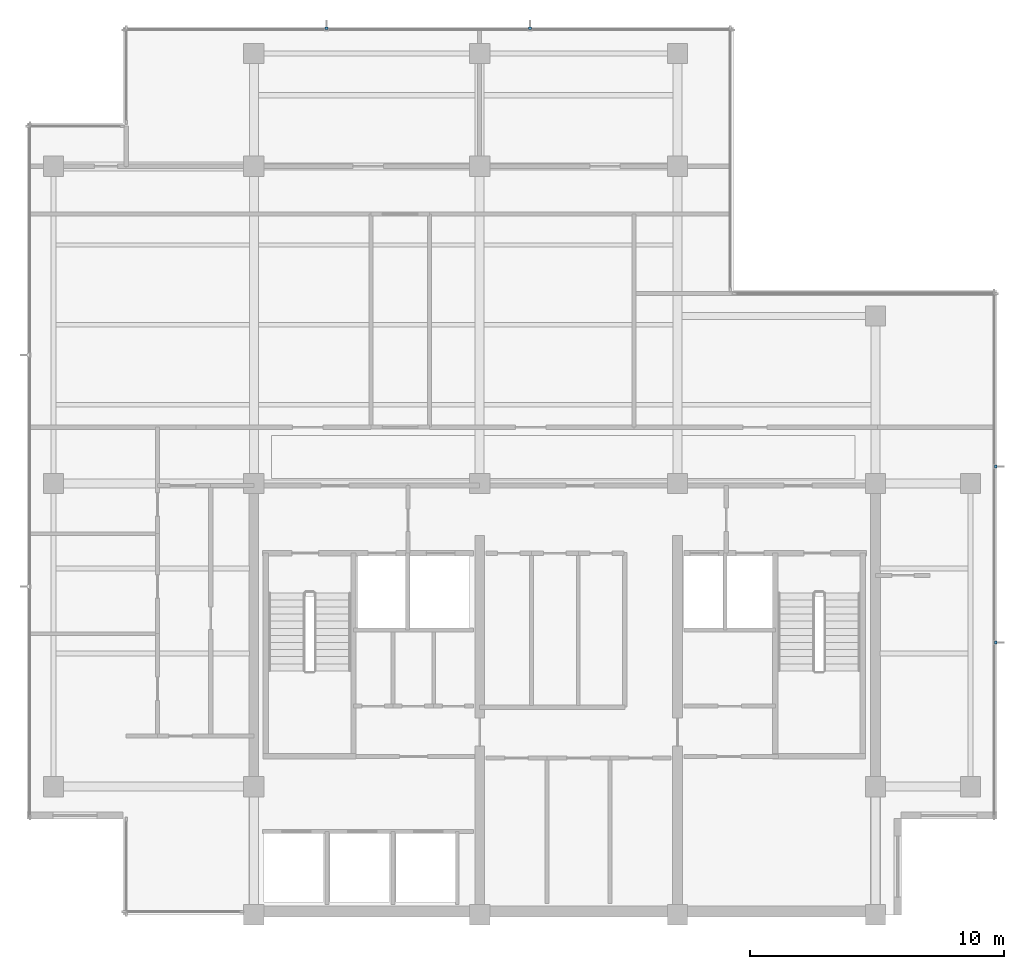
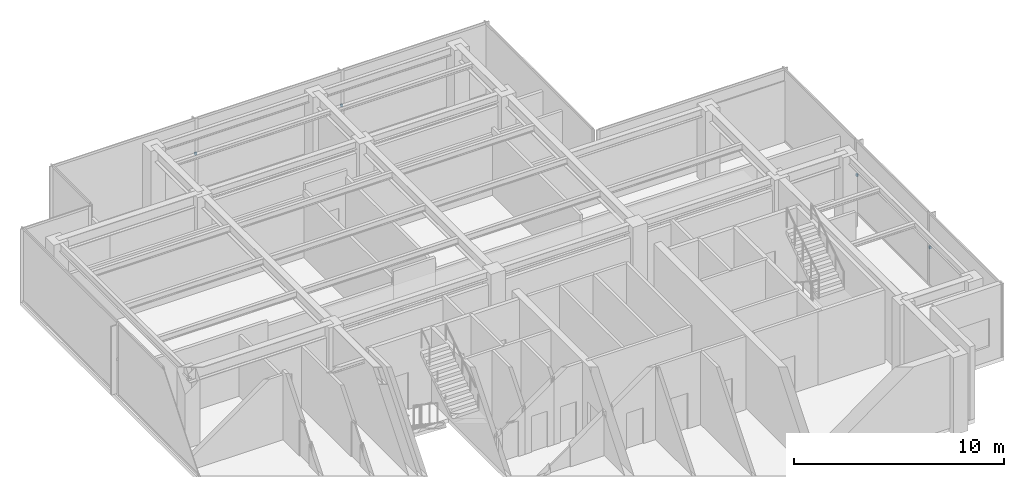
# One storey, part 10 of 11: 4 discrete accessories.
"""IFC4 building model written with IfcOpenShell, lengths in metres."""

from ifc_helpers import new_model, si_unit, direction, frame, origin, place, context, subcontext, project, spatial, polyline, outline, extrude, material, type_object, element, save


model = new_model("IFC4")

# Units and contexts
model_context = context("Model", 3, precision=1e-05, world=origin(), true_north=direction((0.0, 1.0)))
body_context = subcontext(model_context, "Body", "Model", "MODEL_VIEW")
ifc_project = project(units=[si_unit("LENGTHUNIT", "METRE"), si_unit("AREAUNIT", "SQUARE_METRE"), si_unit("VOLUMEUNIT", "CUBIC_METRE"), si_unit("PLANEANGLEUNIT", "RADIAN"), si_unit("MASSUNIT", "GRAM", prefix="KILO")], contexts=[model_context])

# Site, building, storey
site_placement = place(None, origin())
site = spatial("IfcSite", under=ifc_project, at=site_placement, CompositionType="ELEMENT")
building_placement = place(site_placement, origin())
building = spatial("IfcBuilding", under=site, at=building_placement, Name="Qalmaran Belvedere Hotel", CompositionType="ELEMENT")
storey_placement = place(building_placement, frame((0.0, 0.0, 280.89990234375)))
storey = spatial("IfcBuildingStorey", under=building, at=storey_placement, Name="L73", CompositionType="ELEMENT", Elevation=280.89990234375)

# Discrete accessories
ifc_material = material(Name="Stainless Steel 1.4401", Category="steel")
discrete_accessory_type = type_object("IfcDiscreteAccessoryType", Name="BRK-FIN-SS316", PredefinedType="BRACKET", material=ifc_material)
discrete_accessory_1_placement = place(storey_placement, frame((0.0, 0.0, 2.080078125)))
element("IfcDiscreteAccessory", 1, at=discrete_accessory_1_placement, inside=storey, type_object=discrete_accessory_type, Name="L73 Fin Bracket 1", PredefinedType="BRACKET", context=body_context, shape_type="SweptSolid", body=[
    extrude(outline(polyline([(49.4951171875, 14.17822265625), (49.58740234375, 14.17822265625), (49.58740234375, 14.288330078125), (49.4951171875, 14.288330078125), (49.4951171875, 14.17822265625)])), origin(), (0.0, 0.0, 1.0), 0.14013671875),
])
discrete_accessory_2_placement = place(storey_placement, frame((0.0, 0.0, 2.080078125)))
element("IfcDiscreteAccessory", 2, at=discrete_accessory_2_placement, inside=storey, type_object=discrete_accessory_type, Name="L73 Fin Bracket 2", PredefinedType="BRACKET", context=body_context, shape_type="SweptSolid", body=[
    extrude(outline(polyline([(49.4951171875, 21.11181640625), (49.58740234375, 21.11181640625), (49.58740234375, 21.2216796875), (49.4951171875, 21.2216796875), (49.4951171875, 21.11181640625)])), origin(), (0.0, 0.0, 1.0), 0.14013671875),
])
discrete_accessory_3_placement = place(storey_placement, frame((0.0, 0.0, 2.080078125)))
element("IfcDiscreteAccessory", 3, at=discrete_accessory_3_placement, inside=storey, type_object=discrete_accessory_type, Name="L73 Fin Bracket 1", PredefinedType="BRACKET", context=body_context, shape_type="SweptSolid", body=[
    extrude(outline(polyline([(31.23828125, 38.39501953125), (31.23828125, 38.487548828125), (31.12841796875, 38.487548828125), (31.12841796875, 38.39501953125), (31.23828125, 38.39501953125)])), origin(), (0.0, 0.0, 1.0), 0.14013671875),
])
discrete_accessory_4_placement = place(storey_placement, frame((0.0, 0.0, 2.080078125)))
element("IfcDiscreteAccessory", 4, at=discrete_accessory_4_placement, inside=storey, type_object=discrete_accessory_type, Name="L73 Fin Bracket 2", PredefinedType="BRACKET", context=body_context, shape_type="SweptSolid", body=[
    extrude(outline(polyline([(23.2216796875, 38.39501953125), (23.2216796875, 38.487548828125), (23.11181640625, 38.487548828125), (23.11181640625, 38.39501953125), (23.2216796875, 38.39501953125)])), origin(), (0.0, 0.0, 1.0), 0.14013671875),
])

save(model, "model.ifc")
